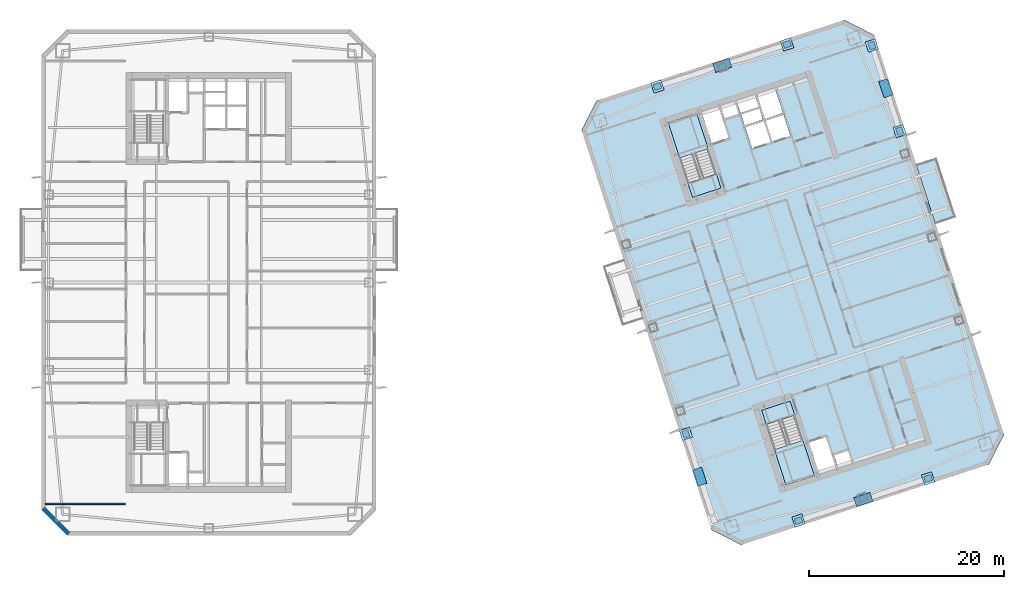
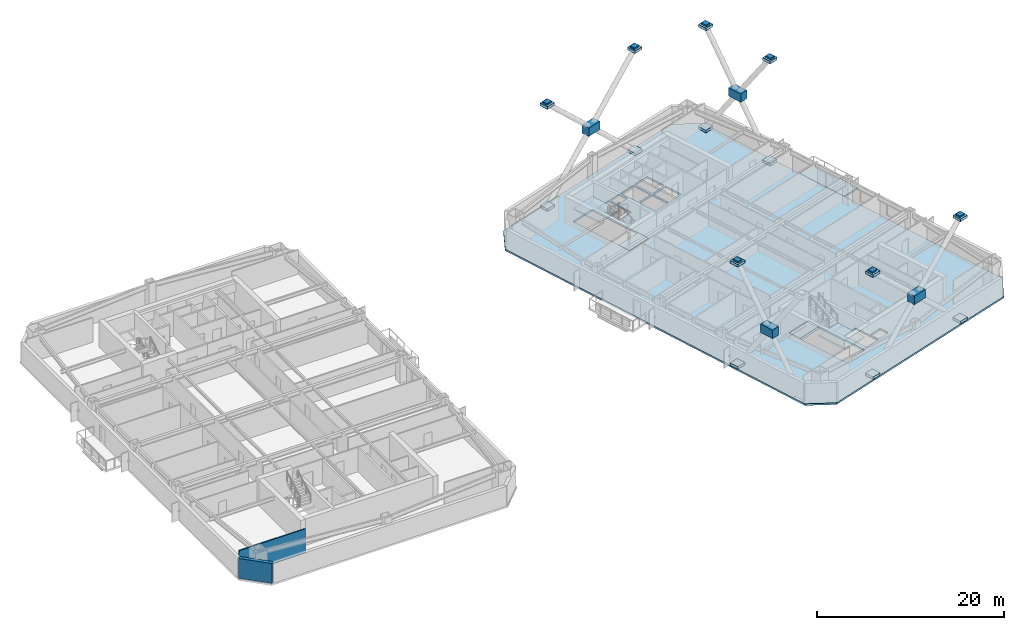
# One storey, part 5 of 18: 25 plates, 6 slabs, 2 walls, 2 elements without a shape of their own.
"""IFC4 building model written with IfcOpenShell, lengths in metres."""

from ifc_helpers import new_model, si_unit, direction, frame, frame_2d, origin, origin_2d, place, context, subcontext, project, spatial, polyline, rectangle, outline, extrude, material, layer, layer_set, type_object, element, aggregate, save


model = new_model("IFC4")

# Units and contexts
model_context = context("Model", 3, precision=1e-05, world=origin(), true_north=direction((0.0, 1.0)))
body_context = subcontext(model_context, "Body", "Model", "MODEL_VIEW")
ifc_project = project(units=[si_unit("LENGTHUNIT", "METRE"), si_unit("AREAUNIT", "SQUARE_METRE"), si_unit("VOLUMEUNIT", "CUBIC_METRE"), si_unit("PLANEANGLEUNIT", "RADIAN"), si_unit("MASSUNIT", "GRAM", prefix="KILO")], contexts=[model_context])

# Site, building, storey
site_placement = place(None, origin())
site = spatial("IfcSite", under=ifc_project, at=site_placement, CompositionType="ELEMENT")
building_placement = place(site_placement, origin())
building = spatial("IfcBuilding", under=site, at=building_placement, Name="Qiaolan Cultural Towers", CompositionType="ELEMENT")
storey_placement = place(building_placement, frame((0.0, 0.0, 163.300048828125)))
storey = spatial("IfcBuildingStorey", under=building, at=storey_placement, Name="L43", CompositionType="ELEMENT", Elevation=163.300048828125)

# Plates
ifc_material_1 = material(Name="Steel Q355B", Category="steel")
ifc_layer_1 = layer(ifc_material_1, 0.035888671875)
ifc_layer_set_1 = layer_set([ifc_layer_1], Name="Steel Q355B")
plate_type_1 = type_object("IfcPlateType", Name="PL-CONN-36", PredefinedType="USERDEFINED", material=ifc_layer_set_1)
for number, where, z_axis, x_axis, name in (
    (1, (79.019287109375, 18.445556640625, 13.1298828125), (0.0, 0.0, 1.0), (-0.309016961177, 0.951056527082, 0.0), "L43 Brace End Connection Gusset Plate GP-02-0540"),
    (2, (98.122314453125, 58.351806640625, 13.1298828125), (0.0, 0.0, 1.0), (-0.309016961177, 0.951056527082, 0.0), "L43 Brace End Connection Gusset Plate GP-02-0542"),
    (3, (100.980712890625, 49.554443359375, 13.1298828125), (0.0, 0.0, 1.0), (-0.309016961177, 0.951056527082, 0.0), "L43 Brace End Connection Gusset Plate GP-02-0543"),
    (4, (103.90380859375, 13.86083984375, 13.1298828125), (0.0, 0.0, 1.0), (0.951056510902, 0.309017010974, 0.0), "L43 Brace End Connection Gusset Plate GP-02-0544"),
    (5, (90.589111328125, 9.53466796875, 13.1298828125), (0.0, 0.0, 1.0), (0.951056510902, 0.309017010974, 0.0), "L43 Brace End Connection Gusset Plate GP-02-0545"),
    (6, (89.410888671875, 58.46533203125, 13.1298828125), (0.0, 0.0, 1.0), (0.951056510902, 0.309017010974, 0.0), "L43 Brace End Connection Gusset Plate GP-02-0546"),
    (7, (76.09619140625, 54.13916015625, 13.1298828125), (0.0, 0.0, 1.0), (0.951056510902, 0.309017010974, 0.0), "L43 Brace End Connection Gusset Plate GP-02-0547"),
):
    element("IfcPlate", number, at=place(storey_placement, frame(where, z_axis=z_axis, x_axis=x_axis)), inside=storey, type_object=plate_type_1, Name=name, ObjectType="GUSSET_PLATE", PredefinedType="USERDEFINED", context=body_context, shape_type="SweptSolid", body=[
        extrude(rectangle(XDim=0.739990234375, YDim=0.6201171875, at=origin_2d()), origin(), (0.0, 0.0, 1.0), 0.739990234375),
    ])
ifc_material_2 = material(Name="Steel Q355B", Category="steel")
ifc_layer_2 = layer(ifc_material_2, 0.030029296875)
ifc_layer_set_2 = layer_set([ifc_layer_2], Name="Steel Q355B")
plate_type_2 = type_object("IfcPlateType", Name="PL-ENDCAP-30", PredefinedType="USERDEFINED", material=ifc_layer_set_2)
for number, where, z_axis, x_axis, name in (
    (8, (79.019287109375, 18.445556640625, -0.025146484375), (0.0, 0.0, 1.0), (-0.309016994375, 0.951056516295, 0.0), "Hollow Brace End Seal Cap Plate CP-01"),
    (9, (79.019287109375, 18.445556640625, 13.324951171875), (0.0, 0.0, 1.0), (-0.309016994375, 0.951056516295, 0.0), "Hollow Brace End Seal Cap Plate CP-01"),
    (10, (100.980712890625, 49.554443359375, -0.025146484375), (0.0, 0.0, 1.0), (-0.309016994375, 0.951056516295, 0.0), "Hollow Brace End Seal Cap Plate CP-01"),
    (11, (98.122314453125, 58.351806640625, -0.025146484375), (0.0, 0.0, 1.0), (-0.309016994375, 0.951056516295, 0.0), "Hollow Brace End Seal Cap Plate CP-01"),
    (12, (100.980712890625, 49.554443359375, 13.324951171875), (0.0, 0.0, 1.0), (-0.309016994375, 0.951056516295, 0.0), "Hollow Brace End Seal Cap Plate CP-01"),
    (13, (98.122314453125, 58.351806640625, 13.324951171875), (0.0, 0.0, 1.0), (-0.309016994375, 0.951056516295, 0.0), "Hollow Brace End Seal Cap Plate CP-01"),
    (14, (90.589111328125, 9.53466796875, -0.025146484375), (0.0, 0.0, 1.0), (0.951056516295, 0.309016994375, 0.0), "Hollow Brace End Seal Cap Plate CP-01"),
    (15, (103.90380859375, 13.86083984375, -0.025146484375), (0.0, 0.0, 1.0), (0.951056516295, 0.309016994375, 0.0), "Hollow Brace End Seal Cap Plate CP-01"),
    (16, (90.589111328125, 9.53466796875, 13.324951171875), (0.0, 0.0, 1.0), (0.951056516295, 0.309016994375, 0.0), "Hollow Brace End Seal Cap Plate CP-01"),
    (17, (103.90380859375, 13.86083984375, 13.324951171875), (0.0, 0.0, 1.0), (0.951056516295, 0.309016994375, 0.0), "Hollow Brace End Seal Cap Plate CP-01"),
    (18, (76.09619140625, 54.13916015625, -0.025146484375), (0.0, 0.0, 1.0), (0.951056516295, 0.309016994375, 0.0), "Hollow Brace End Seal Cap Plate CP-01"),
    (19, (89.410888671875, 58.46533203125, -0.025146484375), (0.0, 0.0, 1.0), (0.951056516295, 0.309016994375, 0.0), "Hollow Brace End Seal Cap Plate CP-01"),
    (20, (76.09619140625, 54.13916015625, 13.324951171875), (0.0, 0.0, 1.0), (0.951056516295, 0.309016994375, 0.0), "Hollow Brace End Seal Cap Plate CP-01"),
    (21, (89.410888671875, 58.46533203125, 13.324951171875), (0.0, 0.0, 1.0), (0.951056516295, 0.309016994375, 0.0), "Hollow Brace End Seal Cap Plate CP-01"),
):
    element("IfcPlate", number, at=place(storey_placement, frame(where, z_axis=z_axis, x_axis=x_axis)), inside=storey, type_object=plate_type_2, Name=name, ObjectType="BASE_PLATE", PredefinedType="USERDEFINED", context=body_context, shape_type="SweptSolid", body=[
        extrude(rectangle(XDim=1.10009765625, YDim=1.10009765625, at=origin_2d()), origin(), (0.0, 0.0, 1.0), 0.35009765625),
    ])
ifc_material_3 = material(Name="Steel Q390GJB", Category="steel")
ifc_layer_3 = layer(ifc_material_3, 0.0419921875)
ifc_layer_set_3 = layer_set([ifc_layer_3], Name="Steel Q390GJB")
plate_type_3 = type_object("IfcPlateType", Name="PL-NODE-ND01", PredefinedType="USERDEFINED", material=ifc_layer_set_3)
plate_1_placement = place(storey_placement, frame((82.753662109375, 56.30224609375, 6.27490234375), z_axis=(0.0, 0.0, 1.0), x_axis=(0.951056516295, 0.309016994375, 0.0)))
element("IfcPlate", 22, at=plate_1_placement, inside=storey, type_object=plate_type_3, Name="Perimeter Frame Gusset Node Assembly ND-01", ObjectType="GUSSET_PLATE", PredefinedType="USERDEFINED", context=body_context, shape_type="SweptSolid", body=[
    extrude(rectangle(XDim=1.760009765625, YDim=0.9599609375, at=origin_2d()), origin(), (0.0, 0.0, 1.0), 1.10009765625),
])
ifc_material_4 = material(Name="Steel Q390GJB", Category="steel")
ifc_layer_4 = layer(ifc_material_4, 0.0439453125)
ifc_layer_set_4 = layer_set([ifc_layer_4], Name="Steel Q390GJB")
plate_type_4 = type_object("IfcPlateType", Name="PL-NODE-ND10", PredefinedType="USERDEFINED", material=ifc_layer_set_4)
plate_2_placement = place(storey_placement, frame((80.448486328125, 14.046875, 6.27490234375), z_axis=(0.0, 0.0, 1.0), x_axis=(-0.309016994375, 0.951056516295, 0.0)))
element("IfcPlate", 23, at=plate_2_placement, inside=storey, type_object=plate_type_4, Name="Perimeter Frame Gusset Node Assembly ND-10", ObjectType="GUSSET_PLATE", PredefinedType="USERDEFINED", context=body_context, shape_type="SweptSolid", body=[
    extrude(rectangle(XDim=1.760009765625, YDim=0.9599609375, at=origin_2d()), origin(), (0.0, 0.0, 1.0), 1.10009765625),
])
ifc_material_5 = material(Name="Steel Q390GJB", Category="steel")
ifc_layer_5 = layer(ifc_material_5, 0.0458984375)
ifc_layer_set_5 = layer_set([ifc_layer_5], Name="Steel Q390GJB")
plate_type_5 = type_object("IfcPlateType", Name="PL-NODE-ND11", PredefinedType="USERDEFINED", material=ifc_layer_set_5)
plate_3_placement = place(storey_placement, frame((99.551513671875, 53.953125, 6.27490234375), z_axis=(0.0, 0.0, 1.0), x_axis=(-0.309016994375, 0.951056516295, 0.0)))
element("IfcPlate", 24, at=plate_3_placement, inside=storey, type_object=plate_type_5, Name="Perimeter Frame Gusset Node Assembly ND-11", ObjectType="GUSSET_PLATE", PredefinedType="USERDEFINED", context=body_context, shape_type="SweptSolid", body=[
    extrude(rectangle(XDim=1.760009765625, YDim=0.9599609375, at=origin_2d()), origin(), (0.0, 0.0, 1.0), 1.10009765625),
])
ifc_material_6 = material(Name="Steel Q390GJB", Category="steel")
ifc_layer_6 = layer(ifc_material_6, 0.0400390625)
ifc_layer_set_6 = layer_set([ifc_layer_6], Name="Steel Q390GJB")
plate_type_6 = type_object("IfcPlateType", Name="PL-NODE-ND12", PredefinedType="USERDEFINED", material=ifc_layer_set_6)
plate_4_placement = place(storey_placement, frame((97.246337890625, 11.69775390625, 6.27490234375), z_axis=(0.0, 0.0, 1.0), x_axis=(0.951056516295, 0.309016994375, 0.0)))
element("IfcPlate", 25, at=plate_4_placement, inside=storey, type_object=plate_type_6, Name="Perimeter Frame Gusset Node Assembly ND-12", ObjectType="GUSSET_PLATE", PredefinedType="USERDEFINED", context=body_context, shape_type="SweptSolid", body=[
    extrude(rectangle(XDim=1.760009765625, YDim=0.9599609375, at=origin_2d()), origin(), (0.0, 0.0, 1.0), 1.10009765625),
])

# Slab
ifc_material_7 = material(Name="Concrete C45", Category="concrete")
ifc_layer_7 = layer(ifc_material_7, 0.239990234375)
ifc_layer_set_7 = layer_set([ifc_layer_7], Name="Concrete C45")
slab_type_1 = type_object("IfcSlabType", Name="SL-BAL-240", PredefinedType="FLOOR", material=ifc_layer_set_7)
slab_1_placement = place(storey_placement, frame((0.0, 0.0, -0.239990234375)))
element("IfcSlab", 26, at=slab_1_placement, inside=storey, type_object=slab_type_1, Name="L43 T2 Planted Tree Balcony E", PredefinedType="FLOOR", context=body_context, shape_type="SweptSolid", body=[
    extrude(outline(polyline([(104.65576171875, 40.023681640625), (106.748291015625, 40.70361328125), (104.7705078125, 46.790283203125), (102.67822265625, 46.110595703125), (104.65576171875, 40.023681640625)])), origin(), (0.0, 0.0, 1.0), 0.239990234375),
])

# Stair, slab
ifc_material_8 = material(Name="Concrete C45", Category="concrete")
stair_type = type_object("IfcStairType", Name="STR-CORE-1500", PredefinedType="HALF_TURN_STAIR", material=ifc_material_8)
stair_1_placement = place(storey_placement, origin())
stair_1 = element("IfcStair", 27, at=stair_1_placement, inside=storey, type_object=stair_type, Name="L43 Smokeproof Exit Stair ST-E1", PredefinedType="HALF_TURN_STAIR")
ifc_material_9 = material(Name="Concrete C45", Category="concrete")
ifc_layer_8 = layer(ifc_material_9, 0.199951171875)
ifc_layer_set_8 = layer_set([ifc_layer_8], Name="Concrete C45")
slab_type_2 = type_object("IfcSlabType", Name="SL-STAIR-LAND", PredefinedType="LANDING", material=ifc_layer_set_8)
slab_2_placement = place(storey_placement, frame((0.0, 0.0, 1.52490234375)))
slab_2 = element("IfcSlab", 28, at=slab_2_placement, type_object=slab_type_2, Name="ST-E1 landing 1", PredefinedType="LANDING", context=body_context, shape_type="SweptSolid", body=[
    extrude(outline(polyline([(88.114013671875, 16.828125), (89.30419921875, 13.165283203125), (92.2333984375, 14.116943359375), (91.04345703125, 17.77978515625), (88.114013671875, 16.828125)])), origin(), (0.0, 0.0, 1.0), 0.199951171875),
])
aggregate(stair_1, [slab_2])

stair_2_placement = place(storey_placement, origin())
stair_2 = element("IfcStair", 29, at=stair_2_placement, inside=storey, type_object=stair_type, Name="L43 Smokeproof Exit Stair ST-E2", PredefinedType="HALF_TURN_STAIR")
slab_3_placement = place(storey_placement, frame((0.0, 0.0, 1.52490234375)))
slab_3 = element("IfcSlab", 30, at=slab_3_placement, type_object=slab_type_2, Name="ST-E2 landing 1", PredefinedType="LANDING", context=body_context, shape_type="SweptSolid", body=[
    extrude(outline(polyline([(81.31005859375, 47.735595703125), (80.1201171875, 51.3984375), (77.190673828125, 50.44677734375), (78.380859375, 46.783935546875), (81.31005859375, 47.735595703125)])), origin(), (0.0, 0.0, 1.0), 0.199951171875),
])
aggregate(stair_2, [slab_3])

# Slabs
ifc_material_10 = material(Name="Concrete C40", Category="concrete")
ifc_layer_9 = layer(ifc_material_10, 0.360107421875)
ifc_layer_set_9 = layer_set([ifc_layer_9], Name="Concrete C40")
slab_type_3 = type_object("IfcSlabType", Name="SL-STFLR-360", PredefinedType="LANDING", material=ifc_layer_set_9)
slab_4_placement = place(storey_placement, frame((0.0, 0.0, -0.360107421875)))
element("IfcSlab", 31, at=slab_4_placement, inside=storey, type_object=slab_type_3, Name="L43 ST-E1 Stair Floor Landing Slab", PredefinedType="LANDING", context=body_context, shape_type="SweptSolid", body=[
    extrude(outline(polyline([(86.8037109375, 20.867431640625), (87.282470703125, 19.39404296875), (90.2080078125, 20.3447265625), (89.729248046875, 21.818115234375), (86.8037109375, 20.867431640625)])), origin(), (0.0, 0.0, 1.0), 0.360107421875),
])
slab_5_placement = place(storey_placement, frame((0.0, 0.0, -0.360107421875)))
element("IfcSlab", 32, at=slab_5_placement, inside=storey, type_object=slab_type_3, Name="L43 ST-E2 Stair Floor Landing Slab", PredefinedType="LANDING", context=body_context, shape_type="SweptSolid", body=[
    extrude(outline(polyline([(82.62060546875, 43.6962890625), (82.141845703125, 45.169677734375), (79.21630859375, 44.21923828125), (79.695068359375, 42.74560546875), (82.62060546875, 43.6962890625)])), origin(), (0.0, 0.0, 1.0), 0.360107421875),
])
ifc_material_11 = material(Name="Concrete C45", Category="concrete")
ifc_layer_10 = layer(ifc_material_11, 0.219970703125)
ifc_layer_set_10 = layer_set([ifc_layer_10], Name="Concrete C45")
slab_type_4 = type_object("IfcSlabType", Name="SL-TYP-220", PredefinedType="FLOOR", material=ifc_layer_set_10)
slab_6_placement = place(storey_placement, frame((0.0, 0.0, -0.219970703125)))
element("IfcSlab", 33, at=slab_6_placement, inside=storey, type_object=slab_type_4, Name="L43 East Tower Floor Slab", PredefinedType="FLOOR", context=body_context, shape_type="SweptSolid", body=[
    extrude(outline(polyline([(84.67236328125, 7.033935546875), (110.16064453125, 15.3154296875), (111.701416015625, 18.339599609375), (98.351806640625, 59.42529296875), (95.32763671875, 60.966064453125), (69.83935546875, 52.6845703125), (68.298583984375, 49.660400390625), (81.648193359375, 8.57470703125), (84.67236328125, 7.033935546875)]), holes=[polyline([(86.80126953125, 20.868896484375), (89.30419921875, 13.165283203125), (92.2333984375, 14.116943359375), (89.73046875, 21.820556640625), (86.80126953125, 20.868896484375)]), polyline([(82.623046875, 43.69482421875), (80.1201171875, 51.3984375), (77.190673828125, 50.44677734375), (79.69384765625, 42.7431640625), (82.623046875, 43.69482421875)]), polyline([(92.666259765625, 14.468017578125), (94.42578125, 15.03955078125), (93.42138671875, 18.130615234375), (91.661865234375, 17.558837890625), (92.666259765625, 14.468017578125)]), polyline([(94.5908203125, 15.14599609375), (96.027099609375, 15.612548828125), (95.66552734375, 16.725341796875), (94.2294921875, 16.258544921875), (94.5908203125, 15.14599609375)]), polyline([(81.6806640625, 48.278076171875), (83.440185546875, 48.849609375), (82.435791015625, 51.940673828125), (80.67626953125, 51.368896484375), (81.6806640625, 48.278076171875)]), polyline([(82.993408203125, 50.839111328125), (84.4296875, 51.3056640625), (84.068115234375, 52.41845703125), (82.632080078125, 51.95166015625), (82.993408203125, 50.839111328125)]), polyline([(85.810302734375, 47.80078125), (87.71240234375, 48.418701171875), (87.013916015625, 50.568115234375), (85.11181640625, 49.9501953125), (85.810302734375, 47.80078125)]), polyline([(87.902587890625, 48.480712890625), (89.74755859375, 49.080078125), (89.04931640625, 51.2294921875), (87.2041015625, 50.6298828125), (87.902587890625, 48.480712890625)]), polyline([(85.05322265625, 50.130859375), (86.936279296875, 50.74267578125), (86.169921875, 53.101318359375), (84.286865234375, 52.489501953125), (85.05322265625, 50.130859375)]), polyline([(87.1455078125, 50.810791015625), (88.990478515625, 51.41015625), (88.22412109375, 53.768798828125), (86.379150390625, 53.169189453125), (87.1455078125, 50.810791015625)])]), origin(), (0.0, 0.0, 1.0), 0.219970703125),
])

# Walls
ifc_material_12 = material(Name="Precast Concrete C50 Honed Stone Pier", Category="masonry")
ifc_layer_11 = layer(ifc_material_12, 0.39990234375)
ifc_layer_set_11 = layer_set([ifc_layer_11], Name="Precast Concrete C50 Honed Stone Pier")
wall_type_1 = type_object("IfcWallType", Name="WL-EXT-PIER-400", PredefinedType="SOLIDWALL", material=ifc_layer_set_11)
wall_1_placement = place(storey_placement, frame((15.60009765625, 8.199951171875, 0.0), z_axis=(0.0, 0.0, 1.0), x_axis=(-0.707106781187, 0.707106781187, 0.0)))
element("IfcWall", 34, at=wall_1_placement, inside=storey, type_object=wall_type_1, Name="L43 West Tower Precast Pier Facade Wall F8", PredefinedType="SOLIDWALL", context=body_context, shape_type="SweptSolid", body=[
    extrude(rectangle(XDim=3.677001953125, YDim=0.39990234375, at=frame_2d((1.83837890625, 0.0))), origin(), (0.0, 0.0, 1.0), 2.60986328125),
])
ifc_material_13 = material(Name="Autoclaved Aerated Concrete Block B06", Category="concrete")
ifc_layer_12 = layer(ifc_material_13, 0.14990234375)
ifc_layer_set_12 = layer_set([ifc_layer_12], Name="Autoclaved Aerated Concrete Block B06")
wall_type_2 = type_object("IfcWallType", Name="WL-PART-150", PredefinedType="PARTITIONING", material=ifc_layer_set_12)
wall_2_placement = place(storey_placement, frame((13.199951171875, 11.25, 0.0), z_axis=(0.0, 0.0, 1.0), x_axis=(1.0, 0.0, 0.0)))
element("IfcWall", 35, at=wall_2_placement, inside=storey, type_object=wall_type_2, Name="L43 T1 Flank Wall FLK-SW", PredefinedType="PARTITIONING", context=body_context, shape_type="SweptSolid", body=[
    extrude(rectangle(XDim=8.199951171875, YDim=0.14990234375, at=frame_2d((4.10009765625, 0.0))), origin(), (0.0, 0.0, 1.0), 3.175048828125),
])

save(model, "model.ifc")
